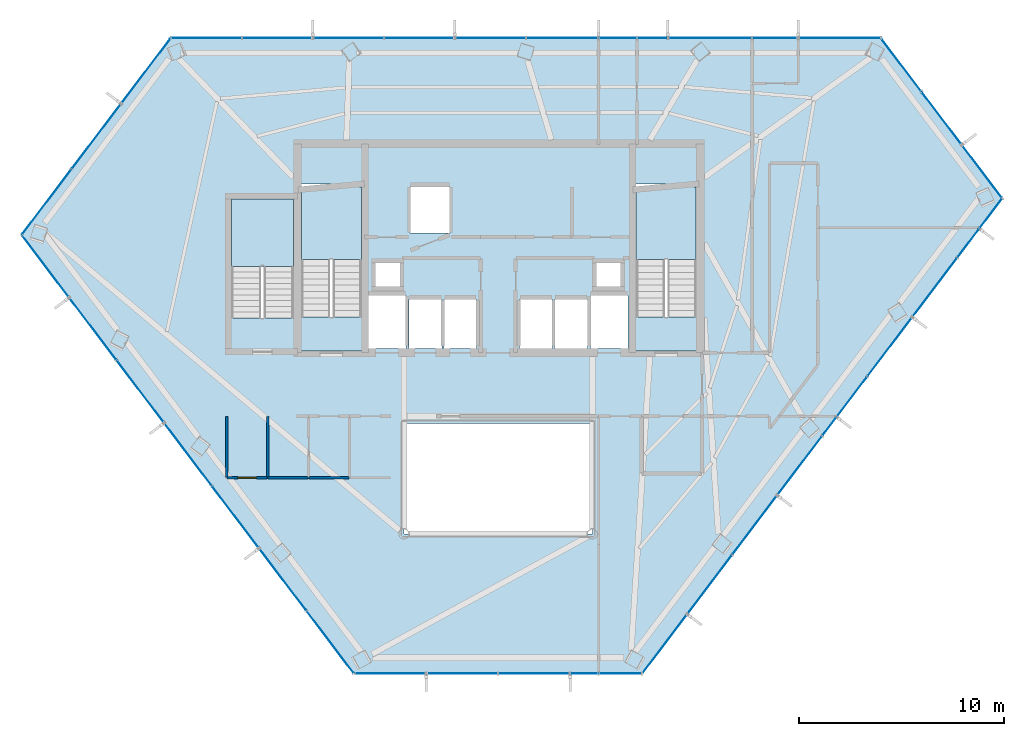
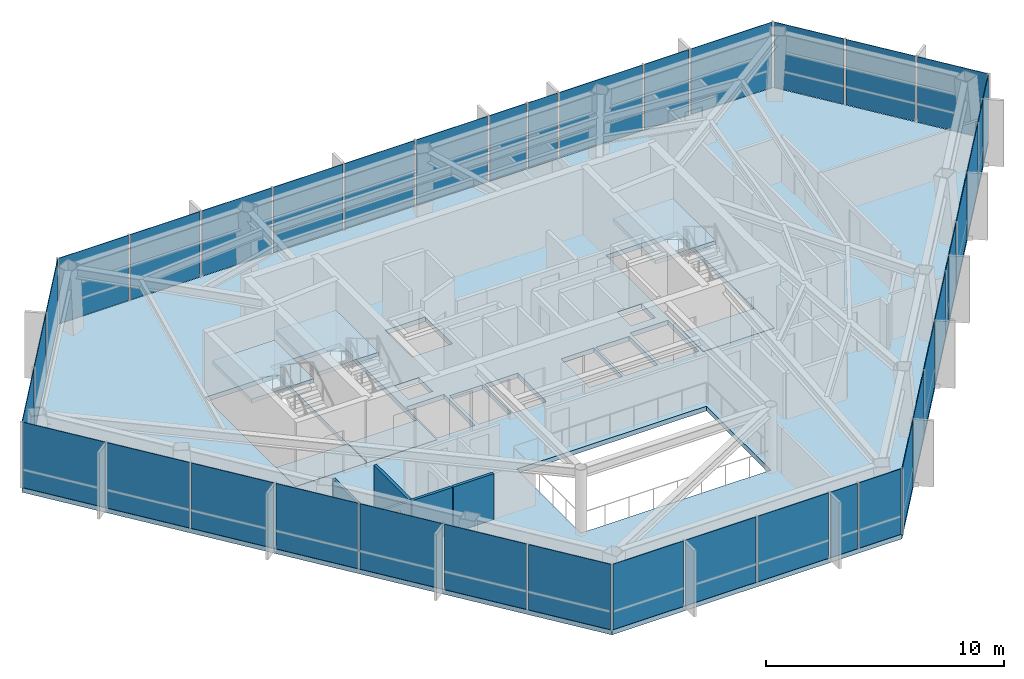
# One storey, part 24 of 28: 39 plates, 7 slabs, 5 walls, 1 door, 1 opening, 9 elements without a shape of their own.
"""IFC4 building model written with IfcOpenShell, lengths in metres."""

from ifc_helpers import new_model, si_unit, direction, frame, frame_2d, origin, origin_2d, place, context, subcontext, project, spatial, polyline, rectangle, outline, extrude, material, layer, layer_set, type_object, element, fill, aggregate, save


model = new_model("IFC4")

# Units and contexts
model_context = context("Model", 3, precision=1e-05, world=origin(), true_north=direction((0.0, 1.0)))
body_context = subcontext(model_context, "Body", "Model", "MODEL_VIEW")
ifc_project = project(units=[si_unit("LENGTHUNIT", "METRE"), si_unit("AREAUNIT", "SQUARE_METRE"), si_unit("VOLUMEUNIT", "CUBIC_METRE"), si_unit("PLANEANGLEUNIT", "RADIAN"), si_unit("MASSUNIT", "GRAM", prefix="KILO")], contexts=[model_context])

# Site, building, storey
site_placement = place(None, origin())
site = spatial("IfcSite", under=ifc_project, at=site_placement, CompositionType="ELEMENT")
building_placement = place(site_placement, origin())
building = spatial("IfcBuilding", under=site, at=building_placement, Name="Zarrinselat Tower", CompositionType="ELEMENT")
storey_placement = place(building_placement, frame((0.0, 0.0, 190.739990234375)))
storey = spatial("IfcBuildingStorey", under=building, at=storey_placement, Name="L47", CompositionType="ELEMENT", Elevation=190.739990234375)

# Curtain wall, plates
ifc_material_1 = material(Name="Extruded Aluminium Alloy EN AW-6063 T6", Category="aluminium")
ifc_layer_1 = layer(ifc_material_1, 0.175048828125)
ifc_layer_set_1 = layer_set([ifc_layer_1], Name="Extruded Aluminium Alloy EN AW-6063 T6")
curtain_wall_type = type_object("IfcCurtainWallType", Name="CWS-HTL", PredefinedType="NOTDEFINED", material=ifc_layer_set_1)
curtain_wall_1_placement = place(storey_placement, origin())
curtain_wall_1 = element("IfcCurtainWall", 1, at=curtain_wall_1_placement, inside=storey, type_object=curtain_wall_type, Name="L47 Unitised Curtain Wall CW-L47-E01", PredefinedType="NOTDEFINED")
ifc_material_2 = material(Name="Double Low-E Laminated Solar Glass", Category="glass")
ifc_layer_2 = layer(ifc_material_2, 0.028076171875)
ifc_layer_set_2 = layer_set([ifc_layer_2], Name="Double Low-E Laminated Solar Glass")
plate_type = type_object("IfcPlateType", Name="PLT-CW-GL28", PredefinedType="CURTAIN_PANEL", material=ifc_layer_set_2)
plate_1_placement = place(storey_placement, frame((55.06640625, 48.605712890625, 0.02001953125), z_axis=(0.0, 0.0, 1.0), x_axis=(-1.0, 0.0, 0.0)))
plate_1 = element("IfcPlate", 2, at=plate_1_placement, type_object=plate_type, Name="CW-L47-E01 Vision Glass Panel 1", PredefinedType="CURTAIN_PANEL", context=body_context, shape_type="SweptSolid", body=[
    extrude(rectangle(XDim=3.93310546875, YDim=0.028076171875, at=origin_2d()), origin(), (0.0, 0.0, 1.0), 3.35009765625),
])
plate_2_placement = place(storey_placement, frame((51.925048828125, 48.605712890625, 0.02001953125), z_axis=(0.0, 0.0, 1.0), x_axis=(-1.0, 0.0, 0.0)))
plate_2 = element("IfcPlate", 3, at=plate_2_placement, type_object=plate_type, Name="CW-L47-E01 Vision Glass Panel 2", PredefinedType="CURTAIN_PANEL", context=body_context, shape_type="SweptSolid", body=[
    extrude(rectangle(XDim=2.14990234375, YDim=0.028076171875, at=origin_2d()), origin(), (0.0, 0.0, 1.0), 3.35009765625),
])
plate_3_placement = place(storey_placement, frame((48.7421875, 48.605712890625, 0.02001953125), z_axis=(0.0, 0.0, 1.0), x_axis=(-1.0, 0.0, 0.0)))
plate_3 = element("IfcPlate", 4, at=plate_3_placement, type_object=plate_type, Name="CW-L47-E01 Vision Glass Panel 3", PredefinedType="CURTAIN_PANEL", context=body_context, shape_type="SweptSolid", body=[
    extrude(rectangle(XDim=4.015380859375, YDim=0.028076171875, at=origin_2d()), origin(), (0.0, 0.0, 1.0), 3.35009765625),
])
plate_4_placement = place(storey_placement, frame((45.9296875, 48.605712890625, 0.02001953125), z_axis=(0.0, 0.0, 1.0), x_axis=(-1.0, 0.0, 0.0)))
plate_4 = element("IfcPlate", 5, at=plate_4_placement, type_object=plate_type, Name="CW-L47-E01 Vision Glass Panel 4", PredefinedType="CURTAIN_PANEL", context=body_context, shape_type="SweptSolid", body=[
    extrude(rectangle(XDim=1.40966796875, YDim=0.028076171875, at=origin_2d()), origin(), (0.0, 0.0, 1.0), 3.35009765625),
])
plate_5_placement = place(storey_placement, frame((44.237548828125, 48.605712890625, 0.02001953125), z_axis=(0.0, 0.0, 1.0), x_axis=(-1.0, 0.0, 0.0)))
plate_5 = element("IfcPlate", 6, at=plate_5_placement, type_object=plate_type, Name="CW-L47-E01 Vision Glass Panel 5", PredefinedType="CURTAIN_PANEL", context=body_context, shape_type="SweptSolid", body=[
    extrude(rectangle(XDim=1.77490234375, YDim=0.028076171875, at=origin_2d()), origin(), (0.0, 0.0, 1.0), 3.35009765625),
])
plate_6_placement = place(storey_placement, frame((41.526123046875, 48.605712890625, 0.02001953125), z_axis=(0.0, 0.0, 1.0), x_axis=(-1.0, 0.0, 0.0)))
plate_6 = element("IfcPlate", 7, at=plate_6_placement, type_object=plate_type, Name="CW-L47-E01 Vision Glass Panel 6", PredefinedType="CURTAIN_PANEL", context=body_context, shape_type="SweptSolid", body=[
    extrude(rectangle(XDim=3.447509765625, YDim=0.028076171875, at=origin_2d()), origin(), (0.0, 0.0, 1.0), 3.35009765625),
])
plate_7_placement = place(storey_placement, frame((38.019287109375, 48.605712890625, 0.02001953125), z_axis=(0.0, 0.0, 1.0), x_axis=(-1.0, 0.0, 0.0)))
plate_7 = element("IfcPlate", 8, at=plate_7_placement, type_object=plate_type, Name="CW-L47-E01 Vision Glass Panel 7", PredefinedType="CURTAIN_PANEL", context=body_context, shape_type="SweptSolid", body=[
    extrude(rectangle(XDim=3.3662109375, YDim=0.028076171875, at=origin_2d()), origin(), (0.0, 0.0, 1.0), 3.35009765625),
])
plate_8_placement = place(storey_placement, frame((34.55322265625, 48.605712890625, 0.02001953125), z_axis=(0.0, 0.0, 1.0), x_axis=(-1.0, 0.0, 0.0)))
plate_8 = element("IfcPlate", 9, at=plate_8_placement, type_object=plate_type, Name="CW-L47-E01 Vision Glass Panel 8", PredefinedType="CURTAIN_PANEL", context=body_context, shape_type="SweptSolid", body=[
    extrude(rectangle(XDim=3.3662109375, YDim=0.028076171875, at=origin_2d()), origin(), (0.0, 0.0, 1.0), 3.35009765625),
])
plate_9_placement = place(storey_placement, frame((31.0869140625, 48.605712890625, 0.02001953125), z_axis=(0.0, 0.0, 1.0), x_axis=(-1.0, 0.0, 0.0)))
plate_9 = element("IfcPlate", 10, at=plate_9_placement, type_object=plate_type, Name="CW-L47-E01 Vision Glass Panel 9", PredefinedType="CURTAIN_PANEL", context=body_context, shape_type="SweptSolid", body=[
    extrude(rectangle(XDim=3.3662109375, YDim=0.028076171875, at=origin_2d()), origin(), (0.0, 0.0, 1.0), 3.35009765625),
])
plate_10_placement = place(storey_placement, frame((27.620849609375, 48.605712890625, 0.02001953125), z_axis=(0.0, 0.0, 1.0), x_axis=(-1.0, 0.0, 0.0)))
plate_10 = element("IfcPlate", 11, at=plate_10_placement, type_object=plate_type, Name="CW-L47-E01 Vision Glass Panel 10", PredefinedType="CURTAIN_PANEL", context=body_context, shape_type="SweptSolid", body=[
    extrude(rectangle(XDim=3.3662109375, YDim=0.028076171875, at=origin_2d()), origin(), (0.0, 0.0, 1.0), 3.35009765625),
])
plate_11_placement = place(storey_placement, frame((24.15478515625, 48.605712890625, 0.02001953125), z_axis=(0.0, 0.0, 1.0), x_axis=(-1.0, 0.0, 0.0)))
plate_11 = element("IfcPlate", 12, at=plate_11_placement, type_object=plate_type, Name="CW-L47-E01 Vision Glass Panel 11", PredefinedType="CURTAIN_PANEL", context=body_context, shape_type="SweptSolid", body=[
    extrude(rectangle(XDim=3.3662109375, YDim=0.028076171875, at=origin_2d()), origin(), (0.0, 0.0, 1.0), 3.35009765625),
])
aggregate(curtain_wall_1, [plate_1, plate_2, plate_3, plate_4, plate_5, plate_6, plate_7, plate_8, plate_9, plate_10, plate_11])

curtain_wall_2_placement = place(storey_placement, origin())
curtain_wall_2 = element("IfcCurtainWall", 13, at=curtain_wall_2_placement, inside=storey, type_object=curtain_wall_type, Name="L47 Unitised Curtain Wall CW-L47-E02", PredefinedType="NOTDEFINED")
plate_12_placement = place(storey_placement, frame((21.209228515625, 47.005126953125, 0.02001953125), z_axis=(0.0, 0.0, 1.0), x_axis=(-0.603853852413, -0.797095053884, 0.0)))
plate_12 = element("IfcPlate", 14, at=plate_12_placement, type_object=plate_type, Name="CW-L47-E02 Vision Glass Panel 1", PredefinedType="CURTAIN_PANEL", context=body_context, shape_type="SweptSolid", body=[
    extrude(rectangle(XDim=3.915771484375, YDim=0.028076171875, at=origin_2d()), origin(), (0.0, 0.0, 1.0), 3.35009765625),
])
plate_13_placement = place(storey_placement, frame((18.7841796875, 43.80419921875, 0.02001953125), z_axis=(0.0, 0.0, 1.0), x_axis=(-0.603853852413, -0.797095053884, 0.0)))
plate_13 = element("IfcPlate", 15, at=plate_13_placement, type_object=plate_type, Name="CW-L47-E02 Vision Glass Panel 2", PredefinedType="CURTAIN_PANEL", context=body_context, shape_type="SweptSolid", body=[
    extrude(rectangle(XDim=3.915771484375, YDim=0.028076171875, at=origin_2d()), origin(), (0.0, 0.0, 1.0), 3.35009765625),
])
plate_14_placement = place(storey_placement, frame((16.359375, 40.603271484375, 0.02001953125), z_axis=(0.0, 0.0, 1.0), x_axis=(-0.603853852413, -0.797095053884, 0.0)))
plate_14 = element("IfcPlate", 16, at=plate_14_placement, type_object=plate_type, Name="CW-L47-E02 Vision Glass Panel 3", PredefinedType="CURTAIN_PANEL", context=body_context, shape_type="SweptSolid", body=[
    extrude(rectangle(XDim=3.915771484375, YDim=0.028076171875, at=origin_2d()), origin(), (0.0, 0.0, 1.0), 3.35009765625),
])
aggregate(curtain_wall_2, [plate_12, plate_13, plate_14])

curtain_wall_3_placement = place(storey_placement, origin())
curtain_wall_3 = element("IfcCurtainWall", 17, at=curtain_wall_3_placement, inside=storey, type_object=curtain_wall_type, Name="L47 Unitised Curtain Wall CW-L47-E03", PredefinedType="NOTDEFINED")
plate_15_placement = place(storey_placement, frame((16.3056640625, 37.473388671875, 0.02001953125), z_axis=(0.0, 0.0, 1.0), x_axis=(0.603857114659, -0.7970925825, 0.0)))
plate_15 = element("IfcPlate", 18, at=plate_15_placement, type_object=plate_type, Name="CW-L47-E03 Vision Glass Panel 1", PredefinedType="CURTAIN_PANEL", context=body_context, shape_type="SweptSolid", body=[
    extrude(rectangle(XDim=3.73779296875, YDim=0.028076171875, at=origin_2d()), origin(), (0.0, 0.0, 1.0), 3.35009765625),
])
plate_16_placement = place(storey_placement, frame((18.623291015625, 34.414306640625, 0.02001953125), z_axis=(0.0, 0.0, 1.0), x_axis=(0.603857114659, -0.7970925825, 0.0)))
plate_16 = element("IfcPlate", 19, at=plate_16_placement, type_object=plate_type, Name="CW-L47-E03 Vision Glass Panel 2", PredefinedType="CURTAIN_PANEL", context=body_context, shape_type="SweptSolid", body=[
    extrude(rectangle(XDim=3.73779296875, YDim=0.028076171875, at=origin_2d()), origin(), (0.0, 0.0, 1.0), 3.35009765625),
])
plate_17_placement = place(storey_placement, frame((20.940673828125, 31.355224609375, 0.02001953125), z_axis=(0.0, 0.0, 1.0), x_axis=(0.603857114659, -0.7970925825, 0.0)))
plate_17 = element("IfcPlate", 20, at=plate_17_placement, type_object=plate_type, Name="CW-L47-E03 Vision Glass Panel 3", PredefinedType="CURTAIN_PANEL", context=body_context, shape_type="SweptSolid", body=[
    extrude(rectangle(XDim=3.73779296875, YDim=0.028076171875, at=origin_2d()), origin(), (0.0, 0.0, 1.0), 3.35009765625),
])
plate_18_placement = place(storey_placement, frame((23.25830078125, 28.296142578125, 0.02001953125), z_axis=(0.0, 0.0, 1.0), x_axis=(0.603857114659, -0.7970925825, 0.0)))
plate_18 = element("IfcPlate", 21, at=plate_18_placement, type_object=plate_type, Name="CW-L47-E03 Vision Glass Panel 4", PredefinedType="CURTAIN_PANEL", context=body_context, shape_type="SweptSolid", body=[
    extrude(rectangle(XDim=3.73779296875, YDim=0.028076171875, at=origin_2d()), origin(), (0.0, 0.0, 1.0), 3.35009765625),
])
plate_19_placement = place(storey_placement, frame((25.57568359375, 25.237060546875, 0.02001953125), z_axis=(0.0, 0.0, 1.0), x_axis=(0.603857114659, -0.7970925825, 0.0)))
plate_19 = element("IfcPlate", 22, at=plate_19_placement, type_object=plate_type, Name="CW-L47-E03 Vision Glass Panel 5", PredefinedType="CURTAIN_PANEL", context=body_context, shape_type="SweptSolid", body=[
    extrude(rectangle(XDim=3.73779296875, YDim=0.028076171875, at=origin_2d()), origin(), (0.0, 0.0, 1.0), 3.35009765625),
])
plate_20_placement = place(storey_placement, frame((27.893310546875, 22.177978515625, 0.02001953125), z_axis=(0.0, 0.0, 1.0), x_axis=(0.603857114659, -0.7970925825, 0.0)))
plate_20 = element("IfcPlate", 23, at=plate_20_placement, type_object=plate_type, Name="CW-L47-E03 Vision Glass Panel 6", PredefinedType="CURTAIN_PANEL", context=body_context, shape_type="SweptSolid", body=[
    extrude(rectangle(XDim=3.73779296875, YDim=0.028076171875, at=origin_2d()), origin(), (0.0, 0.0, 1.0), 3.35009765625),
])
plate_21_placement = place(storey_placement, frame((30.210693359375, 19.118896484375, 0.02001953125), z_axis=(0.0, 0.0, 1.0), x_axis=(0.603857114659, -0.7970925825, 0.0)))
plate_21 = element("IfcPlate", 24, at=plate_21_placement, type_object=plate_type, Name="CW-L47-E03 Vision Glass Panel 7", PredefinedType="CURTAIN_PANEL", context=body_context, shape_type="SweptSolid", body=[
    extrude(rectangle(XDim=3.73779296875, YDim=0.028076171875, at=origin_2d()), origin(), (0.0, 0.0, 1.0), 3.35009765625),
])
aggregate(curtain_wall_3, [plate_15, plate_16, plate_17, plate_18, plate_19, plate_20, plate_21])

curtain_wall_4_placement = place(storey_placement, origin())
curtain_wall_4 = element("IfcCurtainWall", 25, at=curtain_wall_4_placement, inside=storey, type_object=curtain_wall_type, Name="L47 Unitised Curtain Wall CW-L47-E04", PredefinedType="NOTDEFINED")
plate_22_placement = place(storey_placement, frame((33.126953125, 17.58935546875, 0.02001953125), z_axis=(0.0, 0.0, 1.0), x_axis=(1.0, 0.0, 0.0)))
plate_22 = element("IfcPlate", 26, at=plate_22_placement, type_object=plate_type, Name="CW-L47-E04 Vision Glass Panel 1", PredefinedType="CURTAIN_PANEL", context=body_context, shape_type="SweptSolid", body=[
    extrude(rectangle(XDim=3.415283203125, YDim=0.028076171875, at=origin_2d()), origin(), (0.0, 0.0, 1.0), 3.35009765625),
])
plate_23_placement = place(storey_placement, frame((36.642333984375, 17.58935546875, 0.02001953125), z_axis=(0.0, 0.0, 1.0), x_axis=(1.0, 0.0, 0.0)))
plate_23 = element("IfcPlate", 27, at=plate_23_placement, type_object=plate_type, Name="CW-L47-E04 Vision Glass Panel 2", PredefinedType="CURTAIN_PANEL", context=body_context, shape_type="SweptSolid", body=[
    extrude(rectangle(XDim=3.415283203125, YDim=0.028076171875, at=origin_2d()), origin(), (0.0, 0.0, 1.0), 3.35009765625),
])
plate_24_placement = place(storey_placement, frame((40.15771484375, 17.58935546875, 0.02001953125), z_axis=(0.0, 0.0, 1.0), x_axis=(1.0, 0.0, 0.0)))
plate_24 = element("IfcPlate", 28, at=plate_24_placement, type_object=plate_type, Name="CW-L47-E04 Vision Glass Panel 3", PredefinedType="CURTAIN_PANEL", context=body_context, shape_type="SweptSolid", body=[
    extrude(rectangle(XDim=3.415283203125, YDim=0.028076171875, at=origin_2d()), origin(), (0.0, 0.0, 1.0), 3.35009765625),
])
plate_25_placement = place(storey_placement, frame((42.607666015625, 17.58935546875, 0.02001953125), z_axis=(0.0, 0.0, 1.0), x_axis=(1.0, 0.0, 0.0)))
plate_25 = element("IfcPlate", 29, at=plate_25_placement, type_object=plate_type, Name="CW-L47-E04 Vision Glass Panel 4", PredefinedType="CURTAIN_PANEL", context=body_context, shape_type="SweptSolid", body=[
    extrude(rectangle(XDim=1.28466796875, YDim=0.028076171875, at=origin_2d()), origin(), (0.0, 0.0, 1.0), 3.35009765625),
])
plate_26_placement = place(storey_placement, frame((44.365234375, 17.58935546875, 0.02001953125), z_axis=(0.0, 0.0, 1.0), x_axis=(1.0, 0.0, 0.0)))
plate_26 = element("IfcPlate", 30, at=plate_26_placement, type_object=plate_type, Name="CW-L47-E04 Vision Glass Panel 5", PredefinedType="CURTAIN_PANEL", context=body_context, shape_type="SweptSolid", body=[
    extrude(rectangle(XDim=2.030517578125, YDim=0.028076171875, at=origin_2d()), origin(), (0.0, 0.0, 1.0), 3.35009765625),
])
aggregate(curtain_wall_4, [plate_22, plate_23, plate_24, plate_25, plate_26])

curtain_wall_5_placement = place(storey_placement, origin())
curtain_wall_5 = element("IfcCurtainWall", 31, at=curtain_wall_5_placement, inside=storey, type_object=curtain_wall_type, Name="L47 Unitised Curtain Wall CW-L47-E05", PredefinedType="NOTDEFINED")
plate_27_placement = place(storey_placement, frame((46.529052734375, 19.039306640625, 0.02001953125), z_axis=(0.0, 0.0, 1.0), x_axis=(0.603856629551, 0.797092950005, 0.0)))
plate_27 = element("IfcPlate", 32, at=plate_27_placement, type_object=plate_type, Name="CW-L47-E05 Vision Glass Panel 1", PredefinedType="CURTAIN_PANEL", context=body_context, shape_type="SweptSolid", body=[
    extrude(rectangle(XDim=3.5380859375, YDim=0.028076171875, at=origin_2d()), origin(), (0.0, 0.0, 1.0), 3.35009765625),
])
plate_28_placement = place(storey_placement, frame((48.725830078125, 21.939208984375, 0.02001953125), z_axis=(0.0, 0.0, 1.0), x_axis=(0.603856629551, 0.797092950005, 0.0)))
plate_28 = element("IfcPlate", 33, at=plate_28_placement, type_object=plate_type, Name="CW-L47-E05 Vision Glass Panel 2", PredefinedType="CURTAIN_PANEL", context=body_context, shape_type="SweptSolid", body=[
    extrude(rectangle(XDim=3.5380859375, YDim=0.028076171875, at=origin_2d()), origin(), (0.0, 0.0, 1.0), 3.35009765625),
])
plate_29_placement = place(storey_placement, frame((50.922607421875, 24.8388671875, 0.02001953125), z_axis=(0.0, 0.0, 1.0), x_axis=(0.603856629551, 0.797092950005, 0.0)))
plate_29 = element("IfcPlate", 34, at=plate_29_placement, type_object=plate_type, Name="CW-L47-E05 Vision Glass Panel 3", PredefinedType="CURTAIN_PANEL", context=body_context, shape_type="SweptSolid", body=[
    extrude(rectangle(XDim=3.5380859375, YDim=0.028076171875, at=origin_2d()), origin(), (0.0, 0.0, 1.0), 3.35009765625),
])
plate_30_placement = place(storey_placement, frame((53.11962890625, 27.73876953125, 0.02001953125), z_axis=(0.0, 0.0, 1.0), x_axis=(0.603856629551, 0.797092950005, 0.0)))
plate_30 = element("IfcPlate", 35, at=plate_30_placement, type_object=plate_type, Name="CW-L47-E05 Vision Glass Panel 4", PredefinedType="CURTAIN_PANEL", context=body_context, shape_type="SweptSolid", body=[
    extrude(rectangle(XDim=3.5380859375, YDim=0.028076171875, at=origin_2d()), origin(), (0.0, 0.0, 1.0), 3.35009765625),
])
plate_31_placement = place(storey_placement, frame((54.568359375, 29.651123046875, 0.02001953125), z_axis=(0.0, 0.0, 1.0), x_axis=(0.603856629551, 0.797092950005, 0.0)))
plate_31 = element("IfcPlate", 36, at=plate_31_placement, type_object=plate_type, Name="CW-L47-E05 Vision Glass Panel 5", PredefinedType="CURTAIN_PANEL", context=body_context, shape_type="SweptSolid", body=[
    extrude(rectangle(XDim=1.060546875, YDim=0.028076171875, at=origin_2d()), origin(), (0.0, 0.0, 1.0), 3.35009765625),
])
plate_32_placement = place(storey_placement, frame((55.666748046875, 31.101318359375, 0.02001953125), z_axis=(0.0, 0.0, 1.0), x_axis=(0.603856629551, 0.797092950005, 0.0)))
plate_32 = element("IfcPlate", 37, at=plate_32_placement, type_object=plate_type, Name="CW-L47-E05 Vision Glass Panel 6", PredefinedType="CURTAIN_PANEL", context=body_context, shape_type="SweptSolid", body=[
    extrude(rectangle(XDim=2.37744140625, YDim=0.028076171875, at=origin_2d()), origin(), (0.0, 0.0, 1.0), 3.35009765625),
])
plate_33_placement = place(storey_placement, frame((57.51318359375, 33.53857421875, 0.02001953125), z_axis=(0.0, 0.0, 1.0), x_axis=(0.603856629551, 0.797092950005, 0.0)))
plate_33 = element("IfcPlate", 38, at=plate_33_placement, type_object=plate_type, Name="CW-L47-E05 Vision Glass Panel 7", PredefinedType="CURTAIN_PANEL", context=body_context, shape_type="SweptSolid", body=[
    extrude(rectangle(XDim=3.5380859375, YDim=0.028076171875, at=origin_2d()), origin(), (0.0, 0.0, 1.0), 3.35009765625),
])
plate_34_placement = place(storey_placement, frame((59.710205078125, 36.438232421875, 0.02001953125), z_axis=(0.0, 0.0, 1.0), x_axis=(0.603856629551, 0.797092950005, 0.0)))
plate_34 = element("IfcPlate", 39, at=plate_34_placement, type_object=plate_type, Name="CW-L47-E05 Vision Glass Panel 8", PredefinedType="CURTAIN_PANEL", context=body_context, shape_type="SweptSolid", body=[
    extrude(rectangle(XDim=3.5380859375, YDim=0.028076171875, at=origin_2d()), origin(), (0.0, 0.0, 1.0), 3.35009765625),
])
plate_35_placement = place(storey_placement, frame((61.34765625, 38.599853515625, 0.02001953125), z_axis=(0.0, 0.0, 1.0), x_axis=(0.603856629551, 0.797092950005, 0.0)))
plate_35 = element("IfcPlate", 40, at=plate_35_placement, type_object=plate_type, Name="CW-L47-E05 Vision Glass Panel 9", PredefinedType="CURTAIN_PANEL", context=body_context, shape_type="SweptSolid", body=[
    extrude(rectangle(XDim=1.685546875, YDim=0.028076171875, at=origin_2d()), origin(), (0.0, 0.0, 1.0), 3.35009765625),
])
plate_36_placement = place(storey_placement, frame((62.446044921875, 40.0498046875, 0.02001953125), z_axis=(0.0, 0.0, 1.0), x_axis=(0.603856629551, 0.797092950005, 0.0)))
plate_36 = element("IfcPlate", 41, at=plate_36_placement, type_object=plate_type, Name="CW-L47-E05 Vision Glass Panel 10", PredefinedType="CURTAIN_PANEL", context=body_context, shape_type="SweptSolid", body=[
    extrude(rectangle(XDim=1.75244140625, YDim=0.028076171875, at=origin_2d()), origin(), (0.0, 0.0, 1.0), 3.35009765625),
])
aggregate(curtain_wall_5, [plate_27, plate_28, plate_29, plate_30, plate_31, plate_32, plate_33, plate_34, plate_35, plate_36])

curtain_wall_6_placement = place(storey_placement, origin())
curtain_wall_6 = element("IfcCurtainWall", 42, at=curtain_wall_6_placement, inside=storey, type_object=curtain_wall_type, Name="L47 Unitised Curtain Wall CW-L47-E06", PredefinedType="NOTDEFINED")
plate_37_placement = place(storey_placement, frame((62.018310546875, 42.091064453125, 0.02001953125), z_axis=(0.0, 0.0, 1.0), x_axis=(-0.603861025256, 0.797089619916, 0.0)))
plate_37 = element("IfcPlate", 43, at=plate_37_placement, type_object=plate_type, Name="CW-L47-E06 Vision Glass Panel 1", PredefinedType="CURTAIN_PANEL", context=body_context, shape_type="SweptSolid", body=[
    extrude(rectangle(XDim=3.169189453125, YDim=0.028076171875, at=origin_2d()), origin(), (0.0, 0.0, 1.0), 3.35009765625),
])
plate_38_placement = place(storey_placement, frame((60.044189453125, 44.69677734375, 0.02001953125), z_axis=(0.0, 0.0, 1.0), x_axis=(-0.603861025256, 0.797089619916, 0.0)))
plate_38 = element("IfcPlate", 44, at=plate_38_placement, type_object=plate_type, Name="CW-L47-E06 Vision Glass Panel 2", PredefinedType="CURTAIN_PANEL", context=body_context, shape_type="SweptSolid", body=[
    extrude(rectangle(XDim=3.169189453125, YDim=0.028076171875, at=origin_2d()), origin(), (0.0, 0.0, 1.0), 3.35009765625),
])
plate_39_placement = place(storey_placement, frame((58.070068359375, 47.302734375, 0.02001953125), z_axis=(0.0, 0.0, 1.0), x_axis=(-0.603861025256, 0.797089619916, 0.0)))
plate_39 = element("IfcPlate", 45, at=plate_39_placement, type_object=plate_type, Name="CW-L47-E06 Vision Glass Panel 3", PredefinedType="CURTAIN_PANEL", context=body_context, shape_type="SweptSolid", body=[
    extrude(rectangle(XDim=3.169189453125, YDim=0.028076171875, at=origin_2d()), origin(), (0.0, 0.0, 1.0), 3.35009765625),
])
aggregate(curtain_wall_6, [plate_37, plate_38, plate_39])

# Slabs
ifc_material_3 = material(Name="Concrete C40/50", Category="concrete")
ifc_layer_3 = layer(ifc_material_3, 0.239990234375)
ifc_layer_set_3 = layer_set([ifc_layer_3], Name="Concrete C40/50")
slab_type_1 = type_object("IfcSlabType", Name="SLB-FLOOR-240-SL-HT240", PredefinedType="FLOOR", material=ifc_layer_set_3)
slab_1_placement = place(storey_placement, frame((0.0, 0.0, -0.239990234375)))
element("IfcSlab", 46, at=slab_1_placement, inside=storey, type_object=slab_type_1, Name="L47 Primary Structural Slab", PredefinedType="FLOOR", context=body_context, shape_type="SweptSolid", body=[
    extrude(outline(polyline([(57.0830078125, 48.605712890625), (22.421630859375, 48.605712890625), (15.14697265625, 39.0029296875), (31.369384765625, 17.58935546875), (45.4306640625, 17.58935546875), (63.00537109375, 40.7880859375), (57.0830078125, 48.605712890625)]), holes=[polyline([(35.64990234375, 33.449951171875), (34.050048828125, 33.449951171875), (34.050048828125, 35.85009765625), (35.64990234375, 35.85009765625), (35.64990234375, 33.449951171875)]), polyline([(35.75, 33.449951171875), (35.75, 35.85009765625), (37.35009765625, 35.85009765625), (37.35009765625, 33.449951171875), (35.75, 33.449951171875)]), polyline([(32.06005859375, 33.449951171875), (32.06005859375, 36.050048828125), (33.89990234375, 36.050048828125), (33.89990234375, 33.449951171875), (32.06005859375, 33.449951171875)]), polyline([(33.60009765625, 36.47998046875), (32.419921875, 36.47998046875), (32.419921875, 37.639892578125), (33.60009765625, 37.639892578125), (33.60009765625, 36.47998046875)]), polyline([(28.594970703125, 33.324951171875), (25.114990234375, 33.324951171875), (25.114990234375, 40.875), (28.594970703125, 40.875), (28.594970703125, 33.324951171875)]), polyline([(31.985107421875, 33.324951171875), (28.60498046875, 33.324951171875), (28.60498046875, 41.47509765625), (31.985107421875, 41.47509765625), (31.985107421875, 33.324951171875)]), polyline([(36.050048828125, 39.10009765625), (34.10009765625, 39.10009765625), (34.10009765625, 41.35009765625), (36.050048828125, 41.35009765625), (36.050048828125, 39.10009765625)]), polyline([(33.800048828125, 24.39990234375), (33.800048828125, 29.800048828125), (43.0, 29.800048828125), (43.0, 24.39990234375), (33.800048828125, 24.39990234375)]), polyline([(39.449951171875, 33.449951171875), (39.449951171875, 35.85009765625), (41.050048828125, 35.85009765625), (41.050048828125, 33.449951171875), (39.449951171875, 33.449951171875)]), polyline([(41.14990234375, 33.449951171875), (41.14990234375, 35.85009765625), (42.75, 35.85009765625), (42.75, 33.449951171875), (41.14990234375, 33.449951171875)]), polyline([(42.89990234375, 33.449951171875), (42.89990234375, 36.050048828125), (44.739990234375, 36.050048828125), (44.739990234375, 33.449951171875), (42.89990234375, 33.449951171875)]), polyline([(43.199951171875, 36.47998046875), (43.199951171875, 37.639892578125), (44.3798828125, 37.639892578125), (44.3798828125, 36.47998046875), (43.199951171875, 36.47998046875)]), polyline([(48.324951171875, 33.324951171875), (44.875, 33.324951171875), (44.875, 41.47509765625), (48.324951171875, 41.47509765625), (48.324951171875, 33.324951171875)])]), origin(), (0.0, 0.0, 1.0), 0.239990234375),
])
slab_2_placement = place(storey_placement, frame((0.0, 0.0, -0.239990234375)))
element("IfcSlab", 47, at=slab_2_placement, inside=storey, type_object=slab_type_1, Name="L47 Stair ST-1-FL1 Structural Floor Landing", PredefinedType="FLOOR", context=body_context, shape_type="SweptSolid", body=[
    extrude(outline(polyline([(31.97998046875, 33.330078125), (31.97998046875, 35.0), (28.610107421875, 35.0), (28.610107421875, 33.330078125), (31.97998046875, 33.330078125)])), origin(), (0.0, 0.0, 1.0), 0.239990234375),
])
slab_3_placement = place(storey_placement, frame((0.0, 0.0, -0.239990234375)))
element("IfcSlab", 48, at=slab_3_placement, inside=storey, type_object=slab_type_1, Name="L47 Stair ST-2-FL1 Structural Floor Landing", PredefinedType="FLOOR", context=body_context, shape_type="SweptSolid", body=[
    extrude(outline(polyline([(48.320068359375, 33.330078125), (48.320068359375, 35.0), (44.8798828125, 35.0), (44.8798828125, 33.330078125), (48.320068359375, 33.330078125)])), origin(), (0.0, 0.0, 1.0), 0.239990234375),
])
slab_4_placement = place(storey_placement, frame((0.0, 0.0, -0.239990234375)))
element("IfcSlab", 49, at=slab_4_placement, inside=storey, type_object=slab_type_1, Name="L47 Stair ST-3-FL1 Structural Floor Landing", PredefinedType="FLOOR", context=body_context, shape_type="SweptSolid", body=[
    extrude(outline(polyline([(28.590087890625, 33.330078125), (28.590087890625, 34.949951171875), (25.1201171875, 34.949951171875), (25.1201171875, 33.330078125), (28.590087890625, 33.330078125)])), origin(), (0.0, 0.0, 1.0), 0.239990234375),
])

# Stair, slab
ifc_material_4 = material(Name="Concrete C40/50", Category="concrete")
stair_type_1 = type_object("IfcStairType", Name="STR-CORE-145", PredefinedType="HALF_TURN_STAIR", material=ifc_material_4)
stair_1_placement = place(storey_placement, origin())
stair_1 = element("IfcStair", 50, at=stair_1_placement, inside=storey, type_object=stair_type_1, Name="L47 Podium & Mid-Tower Exit Stair 3", PredefinedType="HALF_TURN_STAIR")
ifc_material_5 = material(Name="Concrete C40/50", Category="concrete")
ifc_layer_4 = layer(ifc_material_5, 0.1650390625)
ifc_layer_set_4 = layer_set([ifc_layer_4], Name="Concrete C40/50")
slab_type_2 = type_object("IfcSlabType", Name="SLB-LND-165", PredefinedType="LANDING", material=ifc_layer_set_4)
slab_5_placement = place(storey_placement, frame((0.0, 0.0, 1.669921875)))
slab_5 = element("IfcSlab", 51, at=slab_5_placement, type_object=slab_type_2, Name="ST-3 landing 1", PredefinedType="LANDING", context=body_context, shape_type="SweptSolid", body=[
    extrude(outline(polyline([(28.39990234375, 37.469970703125), (28.39990234375, 40.75), (25.3798828125, 40.75), (25.3798828125, 37.469970703125), (28.39990234375, 37.469970703125)])), origin(), (0.0, 0.0, 1.0), 0.2001953125),
])
aggregate(stair_1, [slab_5])

ifc_material_6 = material(Name="Concrete C40/50", Category="concrete")
stair_type_2 = type_object("IfcStairType", Name="STR-CORE-155", PredefinedType="HALF_TURN_STAIR", material=ifc_material_6)
stair_2_placement = place(storey_placement, origin())
stair_2 = element("IfcStair", 52, at=stair_2_placement, inside=storey, type_object=stair_type_2, Name="L47 Core Exit Stair 1", PredefinedType="HALF_TURN_STAIR")
ifc_material_7 = material(Name="Concrete C40/50", Category="concrete")
ifc_layer_5 = layer(ifc_material_7, 0.18994140625)
ifc_layer_set_5 = layer_set([ifc_layer_5], Name="Concrete C40/50")
slab_type_3 = type_object("IfcSlabType", Name="SLB-LND-190", PredefinedType="LANDING", material=ifc_layer_set_5)
slab_6_placement = place(storey_placement, frame((0.0, 0.0, 1.669921875)))
slab_6 = element("IfcSlab", 53, at=slab_6_placement, type_object=slab_type_3, Name="ST-1 landing 1", PredefinedType="LANDING", context=body_context, shape_type="SweptSolid", body=[
    extrude(outline(polyline([(31.719970703125, 37.7900390625), (31.719970703125, 41.35009765625), (28.800048828125, 41.35009765625), (28.800048828125, 37.7900390625), (31.719970703125, 37.7900390625)])), origin(), (0.0, 0.0, 1.0), 0.2001953125),
])
aggregate(stair_2, [slab_6])

stair_3_placement = place(storey_placement, origin())
stair_3 = element("IfcStair", 54, at=stair_3_placement, inside=storey, type_object=stair_type_2, Name="L47 Core Exit Stair 2", PredefinedType="HALF_TURN_STAIR")
slab_7_placement = place(storey_placement, frame((0.0, 0.0, 1.669921875)))
slab_7 = element("IfcSlab", 55, at=slab_7_placement, type_object=slab_type_3, Name="ST-2 landing 1", PredefinedType="LANDING", context=body_context, shape_type="SweptSolid", body=[
    extrude(outline(polyline([(48.06005859375, 37.7900390625), (48.06005859375, 41.35009765625), (45.139892578125, 41.35009765625), (45.139892578125, 37.7900390625), (48.06005859375, 37.7900390625)])), origin(), (0.0, 0.0, 1.0), 0.2001953125),
])
aggregate(stair_3, [slab_7])

# Wall, opening, door
ifc_material_8 = material(Name="Fire-Rated Gypsum Board Partition", Category="gypsum")
ifc_layer_6 = layer(ifc_material_8, 0.1201171875)
ifc_layer_set_6 = layer_set([ifc_layer_6], Name="Fire-Rated Gypsum Board Partition")
wall_type_1 = type_object("IfcWallType", Name="WAL-PART-STD", PredefinedType="PARTITIONING", material=ifc_layer_set_6)
wall_1_placement = place(storey_placement, frame((25.169921875, 27.14990234375, 0.0), z_axis=(0.0, 0.0, 1.0), x_axis=(1.0, 0.0, 0.0)))
wall_1 = element("IfcWall", 56, at=wall_1_placement, inside=storey, type_object=wall_type_1, Name="L47 Partition Wall 34", PredefinedType="PARTITIONING", context=body_context, shape_type="SweptSolid", body=[
    extrude(rectangle(XDim=1.9599609375, YDim=0.1201171875, at=frame_2d((0.97998046875, 0.0))), origin(), (0.0, 0.0, 1.0), 2.346923828125),
])
opening_placement = place(wall_1_placement, frame((0.530029296875, 0.0, 0.0)))
opening = element("IfcOpeningElement", 57, at=opening_placement, cuts=wall_1, Name="Opening ID-05", PredefinedType="OPENING", context=body_context, shape_type="SweptSolid", body=[
    extrude(rectangle(XDim=0.89990234375, YDim=2.050048828125, at=frame_2d((0.449951171875, 1.02490234375))), frame((0.0, 0.070068359375, 0.0), z_axis=(0.0, -1.0, 0.0), x_axis=(1.0, 0.0, 0.0)), (0.0, 0.0, 1.0), 0.14013671875),
])
ifc_material_9 = material(Name="Extruded Aluminium Alloy EN AW-6063 T6", Category="aluminium")
door_type = type_object("IfcDoorType", Name="DR-INT-STD-920", OperationType="NOTDEFINED", PredefinedType="DOOR", material=ifc_material_9)
door_placement = place(opening_placement, origin())
door = element("IfcDoor", 58, at=door_placement, inside=storey, type_object=door_type, Name="L47 Interior Door P34", OperationType="SINGLE_SWING_RIGHT", OverallHeight=2.050048828125, OverallWidth=0.89990234375, PredefinedType="DOOR", context=body_context, shape_type="SweptSolid", body=[
    extrude(rectangle(XDim=0.89990234375, YDim=2.050048828125, at=frame_2d((0.449951171875, 1.02490234375))), frame((0.0, 0.02490234375, 0.0), z_axis=(0.0, -1.0, 0.0), x_axis=(1.0, 0.0, 0.0)), (0.0, 0.0, 1.0), 0.050048828125),
])
fill(opening, door)

# Walls
wall_2_placement = place(storey_placement, frame((25.14990234375, 27.169921875, 0.0), z_axis=(0.0, 0.0, 1.0), x_axis=(0.0, 1.0, 0.0)))
element("IfcWall", 59, at=wall_2_placement, inside=storey, type_object=wall_type_1, Name="L47 Partition Wall 35", PredefinedType="PARTITIONING", context=body_context, shape_type="SweptSolid", body=[
    extrude(rectangle(XDim=2.97998046875, YDim=0.1201171875, at=frame_2d((1.489990234375, 0.0))), origin(), (0.0, 0.0, 1.0), 2.346923828125),
])
ifc_material_10 = material(Name="Fire-Rated Gypsum Board Partition", Category="gypsum")
ifc_layer_7 = layer(ifc_material_10, 0.135009765625)
ifc_layer_set_7 = layer_set([ifc_layer_7], Name="Fire-Rated Gypsum Board Partition")
wall_type_2 = type_object("IfcWallType", Name="WAL-PART-WET", PredefinedType="PARTITIONING", material=ifc_layer_set_7)
wall_3_placement = place(storey_placement, frame((27.14990234375, 27.169921875, 0.0), z_axis=(0.0, 0.0, 1.0), x_axis=(0.0, 1.0, 0.0)))
element("IfcWall", 60, at=wall_3_placement, inside=storey, type_object=wall_type_2, Name="L47 Partition Wall 33", PredefinedType="PARTITIONING", context=body_context, shape_type="SweptSolid", body=[
    extrude(rectangle(XDim=2.97998046875, YDim=0.135009765625, at=frame_2d((1.489990234375, 0.0))), origin(), (0.0, 0.0, 1.0), 2.346923828125),
])
for number, where, z_axis, x_axis, name in (
    (61, (27.169921875, 27.14990234375, 0.0), (0.0, 0.0, 1.0), (1.0, 0.0, 0.0), "L47 Partition Wall 37"),
    (62, (29.169921875, 27.14990234375, 0.0), (0.0, 0.0, 1.0), (1.0, 0.0, 0.0), "L47 Partition Wall 39"),
):
    element("IfcWall", number, at=place(storey_placement, frame(where, z_axis=z_axis, x_axis=x_axis)), inside=storey, type_object=wall_type_2, Name=name, PredefinedType="PARTITIONING", context=body_context, shape_type="SweptSolid", body=[
        extrude(rectangle(XDim=1.9599609375, YDim=0.135009765625, at=frame_2d((0.97998046875, 0.0))), origin(), (0.0, 0.0, 1.0), 2.346923828125),
    ])

save(model, "model.ifc")
